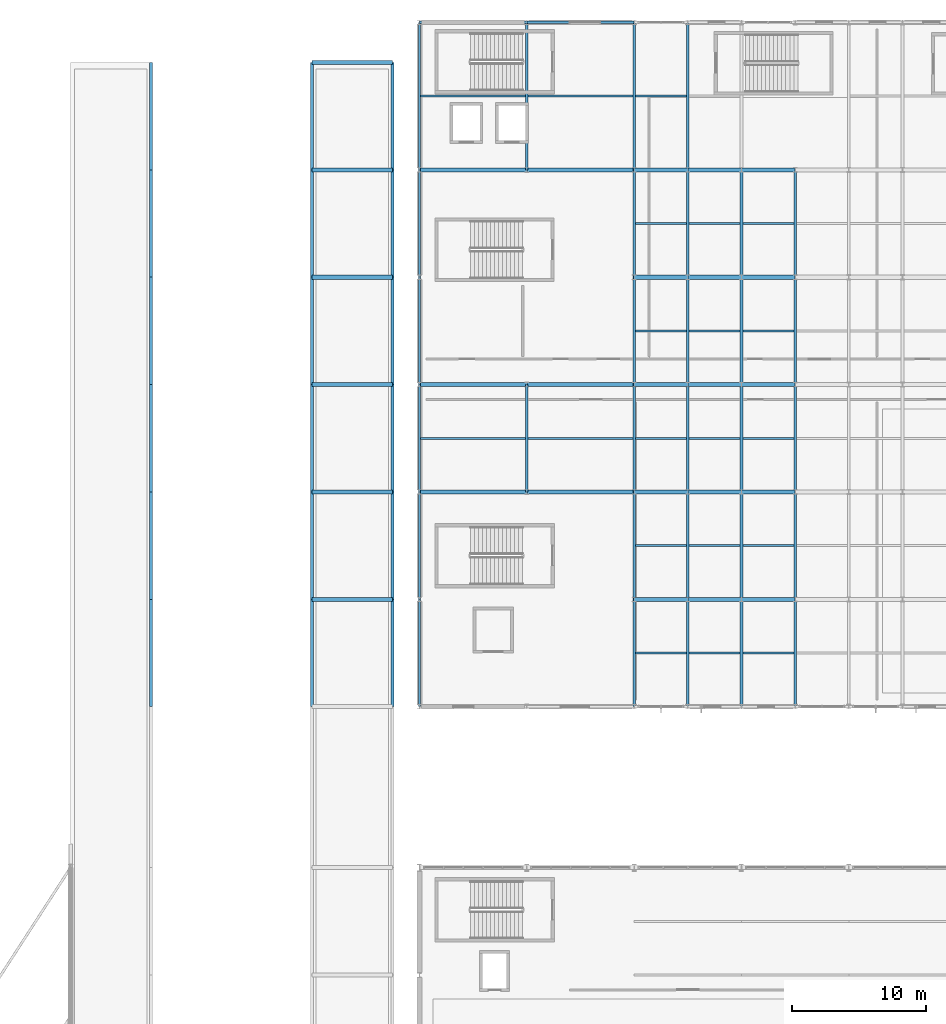
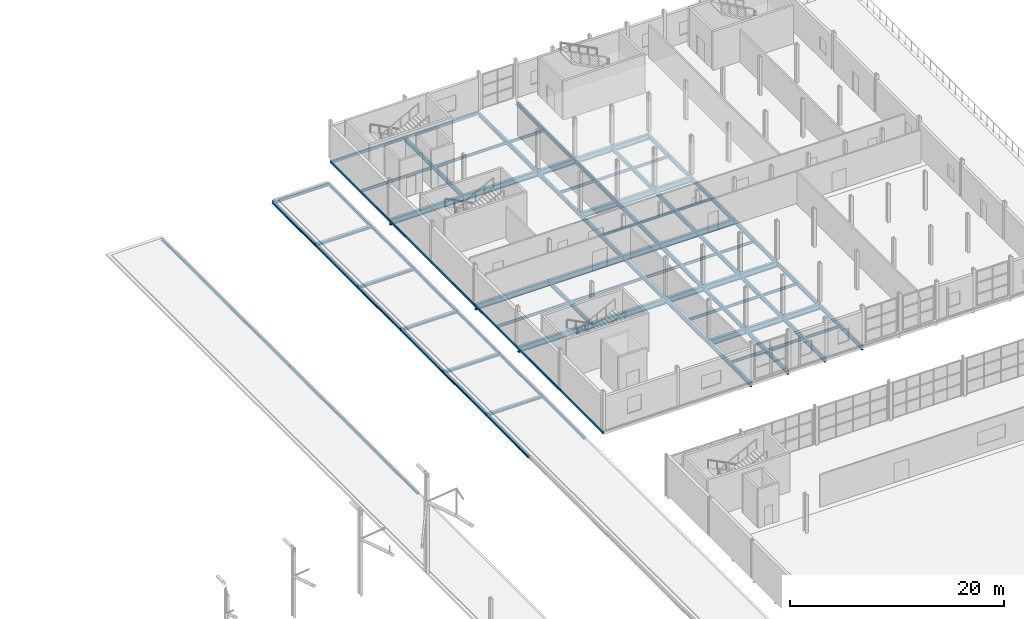
# One storey, part 100 of 153: 97 beams.
"""IFC4 building model written with IfcOpenShell, lengths in metres."""

from ifc_helpers import new_model, si_unit, derived_unit, direction, frame, origin, origin_2d, place, context, subcontext, project, spatial, hollow_rectangle, i_section, extrude, material, material_profile, profile_set, type_object, element, save


model = new_model("IFC4")

# Units and contexts
model_context = context("Model", 3, precision=1e-05, world=origin(), true_north=direction((0.0, 1.0)))
body_context = subcontext(model_context, "Body", "Model", "MODEL_VIEW")
ifc_project = project(units=[si_unit("LENGTHUNIT", "METRE"), si_unit("AREAUNIT", "SQUARE_METRE"), si_unit("VOLUMEUNIT", "CUBIC_METRE"), si_unit("PLANEANGLEUNIT", "RADIAN"), si_unit("MASSUNIT", "GRAM", prefix="KILO"), derived_unit("THERMALTRANSMITTANCEUNIT", [(si_unit("POWERUNIT", "WATT"), 1), (si_unit("LENGTHUNIT", "METRE"), -2), (si_unit("THERMODYNAMICTEMPERATUREUNIT", "KELVIN"), -1)])], contexts=[model_context])

# Site, building, storey
site_placement = place(None, origin())
site = spatial("IfcSite", under=ifc_project, at=site_placement, CompositionType="ELEMENT")
building_placement = place(site_placement, origin())
building = spatial("IfcBuilding", under=site, at=building_placement, Name="Keldorne Ridge Multi-Sports Centre", CompositionType="ELEMENT")
storey_placement = place(building_placement, frame((0.0, 0.0, 9.60009765625)))
storey = spatial("IfcBuildingStorey", under=building, at=storey_placement, Name="L02", CompositionType="ELEMENT", Elevation=9.60009765625)

# Beams
ifc_material = material(Name="Steel S355", Category="steel")
ifc_material_profile_1 = material_profile(ifc_material, i_section(OverallWidth=0.199951171875, OverallDepth=0.5, WebThickness=0.01025390625, FlangeThickness=0.01611328125, FilletRadius=0.02099609375, at=origin_2d()), Name="IPE 500")
ifc_profile_set_1 = profile_set([ifc_material_profile_1], Name="Steel S355")
beam_type_1 = type_object("IfcBeamType", Name="BM-B-02", PredefinedType="BEAM", material=ifc_profile_set_1)
beam_1_placement = place(storey_placement, frame((112.0, 82.0, -0.510009765625), z_axis=(0.0, 1.0, 0.0), x_axis=(-1.0, 0.0, 0.0)))
element("IfcBeam", 1, at=beam_1_placement, inside=storey, type_object=beam_type_1, Name="L02 primary girder 112.3", PredefinedType="BEAM", context=body_context, shape_type="SweptSolid", body=[
    extrude(i_section(OverallWidth=0.199951171875, OverallDepth=0.5, WebThickness=0.01025390625, FlangeThickness=0.01611328125, FilletRadius=0.02099609375, at=origin_2d()), origin(), (0.0, 0.0, 1.0), 8.0),
])
beam_2_placement = place(storey_placement, frame((112.0, 106.0, -0.510009765625), z_axis=(0.0, 1.0, 0.0), x_axis=(-1.0, 0.0, 0.0)))
element("IfcBeam", 2, at=beam_2_placement, inside=storey, type_object=beam_type_1, Name="L02 primary girder 112.6", PredefinedType="BEAM", context=body_context, shape_type="SweptSolid", body=[
    extrude(i_section(OverallWidth=0.199951171875, OverallDepth=0.5, WebThickness=0.01025390625, FlangeThickness=0.01611328125, FilletRadius=0.02099609375, at=origin_2d()), origin(), (0.0, 0.0, 1.0), 11.0),
])
for number, where, z_axis, x_axis, name in (
    (3, (120.0, 66.0, -0.510009765625), (0.0, 1.0, 0.0), (-1.0, 0.0, 0.0), "L02 primary girder 120.1"),
    (4, (120.0, 74.0, -0.510009765625), (0.0, 1.0, 0.0), (-1.0, 0.0, 0.0), "L02 primary girder 120.2"),
    (5, (120.0, 82.0, -0.510009765625), (0.0, 1.0, 0.0), (-1.0, 0.0, 0.0), "L02 primary girder 120.3"),
    (6, (120.0, 90.0, -0.510009765625), (0.0, 1.0, 0.0), (-1.0, 0.0, 0.0), "L02 primary girder 120.4"),
    (7, (120.0, 98.0, -0.510009765625), (0.0, 1.0, 0.0), (-1.0, 0.0, 0.0), "L02 primary girder 120.5"),
):
    element("IfcBeam", number, at=place(storey_placement, frame(where, z_axis=z_axis, x_axis=x_axis)), inside=storey, type_object=beam_type_1, Name=name, PredefinedType="BEAM", context=body_context, shape_type="SweptSolid", body=[
        extrude(i_section(OverallWidth=0.199951171875, OverallDepth=0.5, WebThickness=0.01025390625, FlangeThickness=0.01611328125, FilletRadius=0.02099609375, at=origin_2d()), origin(), (0.0, 0.0, 1.0), 8.0),
    ])
beam_3_placement = place(storey_placement, frame((120.0, 106.0, -0.510009765625), z_axis=(0.0, 1.0, 0.0), x_axis=(-1.0, 0.0, 0.0)))
element("IfcBeam", 8, at=beam_3_placement, inside=storey, type_object=beam_type_1, Name="L02 primary girder 120.6", PredefinedType="BEAM", context=body_context, shape_type="SweptSolid", body=[
    extrude(i_section(OverallWidth=0.199951171875, OverallDepth=0.5, WebThickness=0.01025390625, FlangeThickness=0.01611328125, FilletRadius=0.02099609375, at=origin_2d()), origin(), (0.0, 0.0, 1.0), 11.0),
])
for number, where, z_axis, x_axis, name in (
    (9, (124.0, 66.0, -0.510009765625), (0.0, 1.0, 0.0), (-1.0, 0.0, 0.0), "L02 primary girder 124.1"),
    (10, (124.0, 74.0, -0.510009765625), (0.0, 1.0, 0.0), (-1.0, 0.0, 0.0), "L02 primary girder 124.2"),
    (11, (124.0, 82.0, -0.510009765625), (0.0, 1.0, 0.0), (-1.0, 0.0, 0.0), "L02 primary girder 124.3"),
    (12, (124.0, 90.0, -0.510009765625), (0.0, 1.0, 0.0), (-1.0, 0.0, 0.0), "L02 primary girder 124.4"),
    (13, (124.0, 98.0, -0.510009765625), (0.0, 1.0, 0.0), (-1.0, 0.0, 0.0), "L02 primary girder 124.5"),
):
    element("IfcBeam", number, at=place(storey_placement, frame(where, z_axis=z_axis, x_axis=x_axis)), inside=storey, type_object=beam_type_1, Name=name, PredefinedType="BEAM", context=body_context, shape_type="SweptSolid", body=[
        extrude(i_section(OverallWidth=0.199951171875, OverallDepth=0.5, WebThickness=0.01025390625, FlangeThickness=0.01611328125, FilletRadius=0.02099609375, at=origin_2d()), origin(), (0.0, 0.0, 1.0), 8.0),
    ])
beam_4_placement = place(storey_placement, frame((124.0, 106.0, -0.510009765625), z_axis=(0.0, 1.0, 0.0), x_axis=(-1.0, 0.0, 0.0)))
element("IfcBeam", 14, at=beam_4_placement, inside=storey, type_object=beam_type_1, Name="L02 primary girder 124.6", PredefinedType="BEAM", context=body_context, shape_type="SweptSolid", body=[
    extrude(i_section(OverallWidth=0.199951171875, OverallDepth=0.5, WebThickness=0.01025390625, FlangeThickness=0.01611328125, FilletRadius=0.02099609375, at=origin_2d()), origin(), (0.0, 0.0, 1.0), 11.0),
])
for number, where, z_axis, x_axis, name in (
    (15, (128.0, 66.0, -0.510009765625), (0.0, 1.0, 0.0), (-1.0, 0.0, 0.0), "L02 primary girder 128.1"),
    (16, (128.0, 74.0, -0.510009765625), (0.0, 1.0, 0.0), (-1.0, 0.0, 0.0), "L02 primary girder 128.2"),
    (17, (128.0, 82.0, -0.510009765625), (0.0, 1.0, 0.0), (-1.0, 0.0, 0.0), "L02 primary girder 128.3"),
    (18, (128.0, 90.0, -0.510009765625), (0.0, 1.0, 0.0), (-1.0, 0.0, 0.0), "L02 primary girder 128.4"),
    (19, (128.0, 98.0, -0.510009765625), (0.0, 1.0, 0.0), (-1.0, 0.0, 0.0), "L02 primary girder 128.5"),
    (20, (132.0, 66.0, -0.510009765625), (0.0, 1.0, 0.0), (-1.0, 0.0, 0.0), "L02 primary girder 132.1"),
    (21, (132.0, 74.0, -0.510009765625), (0.0, 1.0, 0.0), (-1.0, 0.0, 0.0), "L02 primary girder 132.2"),
    (22, (132.0, 82.0, -0.510009765625), (0.0, 1.0, 0.0), (-1.0, 0.0, 0.0), "L02 primary girder 132.3"),
    (23, (132.0, 90.0, -0.510009765625), (0.0, 1.0, 0.0), (-1.0, 0.0, 0.0), "L02 primary girder 132.4"),
    (24, (132.0, 98.0, -0.510009765625), (0.0, 1.0, 0.0), (-1.0, 0.0, 0.0), "L02 primary girder 132.5"),
):
    element("IfcBeam", number, at=place(storey_placement, frame(where, z_axis=z_axis, x_axis=x_axis)), inside=storey, type_object=beam_type_1, Name=name, PredefinedType="BEAM", context=body_context, shape_type="SweptSolid", body=[
        extrude(i_section(OverallWidth=0.199951171875, OverallDepth=0.5, WebThickness=0.01025390625, FlangeThickness=0.01611328125, FilletRadius=0.02099609375, at=origin_2d()), origin(), (0.0, 0.0, 1.0), 8.0),
    ])
ifc_material_profile_2 = material_profile(ifc_material, i_section(OverallWidth=0.300048828125, OverallDepth=0.300048828125, WebThickness=0.010986328125, FlangeThickness=0.01904296875, FilletRadius=0.027099609375, at=origin_2d()), Name="HEB 300")
ifc_profile_set_2 = profile_set([ifc_material_profile_2], Name="Steel S355")
beam_type_2 = type_object("IfcBeamType", Name="BM-B-14", PredefinedType="BEAM", material=ifc_profile_set_2)
for number, where, z_axis, x_axis, name in (
    (25, (96.0, 74.0, -0.380126953125), (1.0, 0.0, 0.0), (0.0, 1.0, 0.0), "L02 east skirt roof beam 9"),
    (26, (96.0, 82.0, -0.380126953125), (1.0, 0.0, 0.0), (0.0, 1.0, 0.0), "L02 east skirt roof beam 10"),
    (27, (96.0, 90.0, -0.380126953125), (1.0, 0.0, 0.0), (0.0, 1.0, 0.0), "L02 east skirt roof beam 11"),
    (28, (96.0, 98.0, -0.380126953125), (1.0, 0.0, 0.0), (0.0, 1.0, 0.0), "L02 east skirt roof beam 12"),
    (29, (96.0, 106.0, -0.380126953125), (1.0, 0.0, 0.0), (0.0, 1.0, 0.0), "L02 east skirt roof beam 13"),
    (30, (96.0, 114.0, -0.380126953125), (1.0, 0.0, 0.0), (0.0, 1.0, 0.0), "L02 east skirt roof beam 14"),
):
    element("IfcBeam", number, at=place(storey_placement, frame(where, z_axis=z_axis, x_axis=x_axis)), inside=storey, type_object=beam_type_2, Name=name, PredefinedType="BEAM", context=body_context, shape_type="SweptSolid", body=[
        extrude(i_section(OverallWidth=0.300048828125, OverallDepth=0.300048828125, WebThickness=0.010986328125, FlangeThickness=0.01904296875, FilletRadius=0.027099609375, at=origin_2d()), origin(), (0.0, 0.0, 1.0), 6.0),
    ])
ifc_material_profile_3 = material_profile(ifc_material, i_section(OverallWidth=0.300048828125, OverallDepth=0.639892578125, WebThickness=0.013427734375, FlangeThickness=0.02587890625, FilletRadius=0.027099609375, at=origin_2d()), Name="HEA 650")
ifc_profile_set_3 = profile_set([ifc_material_profile_3], Name="Steel S355")
beam_type_3 = type_object("IfcBeamType", Name="BM-B-26", PredefinedType="BEAM", material=ifc_profile_set_3)
for number, where, z_axis, x_axis, name in (
    (31, (120.0, 74.0, -0.580078125), (1.0, 0.0, 0.0), (0.0, 1.0, 0.0), "L02 primary beam 3.74"),
    (32, (124.0, 74.0, -0.580078125), (1.0, 0.0, 0.0), (0.0, 1.0, 0.0), "L02 primary beam 4.74"),
    (33, (128.0, 74.0, -0.580078125), (1.0, 0.0, 0.0), (0.0, 1.0, 0.0), "L02 primary beam 5.74"),
):
    element("IfcBeam", number, at=place(storey_placement, frame(where, z_axis=z_axis, x_axis=x_axis)), inside=storey, type_object=beam_type_3, Name=name, PredefinedType="BEAM", context=body_context, shape_type="SweptSolid", body=[
        extrude(i_section(OverallWidth=0.300048828125, OverallDepth=0.639892578125, WebThickness=0.013427734375, FlangeThickness=0.02587890625, FilletRadius=0.027099609375, at=origin_2d()), origin(), (0.0, 0.0, 1.0), 4.0),
    ])
for number, where, z_axis, x_axis, name in (
    (34, (104.0, 82.0, -0.580078125), (1.0, 0.0, 0.0), (0.0, 1.0, 0.0), "L02 primary beam 1.82"),
    (35, (112.0, 82.0, -0.580078125), (1.0, 0.0, 0.0), (0.0, 1.0, 0.0), "L02 primary beam 2.82"),
):
    element("IfcBeam", number, at=place(storey_placement, frame(where, z_axis=z_axis, x_axis=x_axis)), inside=storey, type_object=beam_type_3, Name=name, PredefinedType="BEAM", context=body_context, shape_type="SweptSolid", body=[
        extrude(i_section(OverallWidth=0.300048828125, OverallDepth=0.639892578125, WebThickness=0.013427734375, FlangeThickness=0.02587890625, FilletRadius=0.027099609375, at=origin_2d()), origin(), (0.0, 0.0, 1.0), 8.0),
    ])
for number, where, z_axis, x_axis, name in (
    (36, (120.0, 82.0, -0.580078125), (1.0, 0.0, 0.0), (0.0, 1.0, 0.0), "L02 primary beam 3.82"),
    (37, (124.0, 82.0, -0.580078125), (1.0, 0.0, 0.0), (0.0, 1.0, 0.0), "L02 primary beam 4.82"),
    (38, (128.0, 82.0, -0.580078125), (1.0, 0.0, 0.0), (0.0, 1.0, 0.0), "L02 primary beam 5.82"),
):
    element("IfcBeam", number, at=place(storey_placement, frame(where, z_axis=z_axis, x_axis=x_axis)), inside=storey, type_object=beam_type_3, Name=name, PredefinedType="BEAM", context=body_context, shape_type="SweptSolid", body=[
        extrude(i_section(OverallWidth=0.300048828125, OverallDepth=0.639892578125, WebThickness=0.013427734375, FlangeThickness=0.02587890625, FilletRadius=0.027099609375, at=origin_2d()), origin(), (0.0, 0.0, 1.0), 4.0),
    ])
for number, where, z_axis, x_axis, name in (
    (39, (104.0, 90.0, -0.580078125), (1.0, 0.0, 0.0), (0.0, 1.0, 0.0), "L02 primary beam 1.90"),
    (40, (112.0, 90.0, -0.580078125), (1.0, 0.0, 0.0), (0.0, 1.0, 0.0), "L02 primary beam 2.90"),
):
    element("IfcBeam", number, at=place(storey_placement, frame(where, z_axis=z_axis, x_axis=x_axis)), inside=storey, type_object=beam_type_3, Name=name, PredefinedType="BEAM", context=body_context, shape_type="SweptSolid", body=[
        extrude(i_section(OverallWidth=0.300048828125, OverallDepth=0.639892578125, WebThickness=0.013427734375, FlangeThickness=0.02587890625, FilletRadius=0.027099609375, at=origin_2d()), origin(), (0.0, 0.0, 1.0), 8.0),
    ])
for number, where, z_axis, x_axis, name in (
    (41, (120.0, 90.0, -0.580078125), (1.0, 0.0, 0.0), (0.0, 1.0, 0.0), "L02 primary beam 3.90"),
    (42, (124.0, 90.0, -0.580078125), (1.0, 0.0, 0.0), (0.0, 1.0, 0.0), "L02 primary beam 4.90"),
    (43, (128.0, 90.0, -0.580078125), (1.0, 0.0, 0.0), (0.0, 1.0, 0.0), "L02 primary beam 5.90"),
    (44, (120.0, 98.0, -0.580078125), (1.0, 0.0, 0.0), (0.0, 1.0, 0.0), "L02 primary beam 3.98"),
    (45, (124.0, 98.0, -0.580078125), (1.0, 0.0, 0.0), (0.0, 1.0, 0.0), "L02 primary beam 4.98"),
    (46, (128.0, 98.0, -0.580078125), (1.0, 0.0, 0.0), (0.0, 1.0, 0.0), "L02 primary beam 5.98"),
):
    element("IfcBeam", number, at=place(storey_placement, frame(where, z_axis=z_axis, x_axis=x_axis)), inside=storey, type_object=beam_type_3, Name=name, PredefinedType="BEAM", context=body_context, shape_type="SweptSolid", body=[
        extrude(i_section(OverallWidth=0.300048828125, OverallDepth=0.639892578125, WebThickness=0.013427734375, FlangeThickness=0.02587890625, FilletRadius=0.027099609375, at=origin_2d()), origin(), (0.0, 0.0, 1.0), 4.0),
    ])
for number, where, z_axis, x_axis, name in (
    (47, (104.0, 106.0, -0.580078125), (1.0, 0.0, 0.0), (0.0, 1.0, 0.0), "L02 primary beam 1.106"),
    (48, (112.0, 106.0, -0.580078125), (1.0, 0.0, 0.0), (0.0, 1.0, 0.0), "L02 primary beam 2.106"),
):
    element("IfcBeam", number, at=place(storey_placement, frame(where, z_axis=z_axis, x_axis=x_axis)), inside=storey, type_object=beam_type_3, Name=name, PredefinedType="BEAM", context=body_context, shape_type="SweptSolid", body=[
        extrude(i_section(OverallWidth=0.300048828125, OverallDepth=0.639892578125, WebThickness=0.013427734375, FlangeThickness=0.02587890625, FilletRadius=0.027099609375, at=origin_2d()), origin(), (0.0, 0.0, 1.0), 8.0),
    ])
for number, where, z_axis, x_axis, name in (
    (49, (120.0, 106.0, -0.580078125), (1.0, 0.0, 0.0), (0.0, 1.0, 0.0), "L02 primary beam 3.106"),
    (50, (124.0, 106.0, -0.580078125), (1.0, 0.0, 0.0), (0.0, 1.0, 0.0), "L02 primary beam 4.106"),
    (51, (128.0, 106.0, -0.580078125), (1.0, 0.0, 0.0), (0.0, 1.0, 0.0), "L02 primary beam 5.106"),
):
    element("IfcBeam", number, at=place(storey_placement, frame(where, z_axis=z_axis, x_axis=x_axis)), inside=storey, type_object=beam_type_3, Name=name, PredefinedType="BEAM", context=body_context, shape_type="SweptSolid", body=[
        extrude(i_section(OverallWidth=0.300048828125, OverallDepth=0.639892578125, WebThickness=0.013427734375, FlangeThickness=0.02587890625, FilletRadius=0.027099609375, at=origin_2d()), origin(), (0.0, 0.0, 1.0), 4.0),
    ])
ifc_material_profile_4 = material_profile(ifc_material, i_section(OverallWidth=0.14990234375, OverallDepth=0.300048828125, WebThickness=0.007080078125, FlangeThickness=0.0107421875, FilletRadius=0.014892578125, at=origin_2d()), Name="IPE 300")
ifc_profile_set_4 = profile_set([ifc_material_profile_4], Name="Steel S355")
beam_type_4 = type_object("IfcBeamType", Name="BM-J-02", PredefinedType="JOIST", material=ifc_profile_set_4)
for number, where, z_axis, x_axis, name in (
    (52, (104.074951171875, 86.0, -0.41015625), (1.0, 0.0, 0.0), (0.0, 1.0, 0.0), "L02 secondary joist 1.3"),
    (53, (104.074951171875, 111.5, -0.41015625), (1.0, 0.0, 0.0), (0.0, 1.0, 0.0), "L02 secondary joist 1.6"),
):
    element("IfcBeam", number, at=place(storey_placement, frame(where, z_axis=z_axis, x_axis=x_axis)), inside=storey, type_object=beam_type_4, Name=name, PredefinedType="JOIST", context=body_context, shape_type="SweptSolid", body=[
        extrude(i_section(OverallWidth=0.14990234375, OverallDepth=0.300048828125, WebThickness=0.007080078125, FlangeThickness=0.0107421875, FilletRadius=0.014892578125, at=origin_2d()), origin(), (0.0, 0.0, 1.0), 7.824951171875),
    ])
for number, where, z_axis, x_axis, name in (
    (54, (112.10009765625, 86.0, -0.41015625), (1.0, 0.0, 0.0), (0.0, 1.0, 0.0), "L02 secondary joist 2.3"),
    (55, (112.10009765625, 111.5, -0.41015625), (1.0, 0.0, 0.0), (0.0, 1.0, 0.0), "L02 secondary joist 2.6"),
):
    element("IfcBeam", number, at=place(storey_placement, frame(where, z_axis=z_axis, x_axis=x_axis)), inside=storey, type_object=beam_type_4, Name=name, PredefinedType="JOIST", context=body_context, shape_type="SweptSolid", body=[
        extrude(i_section(OverallWidth=0.14990234375, OverallDepth=0.300048828125, WebThickness=0.007080078125, FlangeThickness=0.0107421875, FilletRadius=0.014892578125, at=origin_2d()), origin(), (0.0, 0.0, 1.0), 7.7998046875),
    ])
for number, where, z_axis, x_axis, name in (
    (56, (120.10009765625, 70.0, -0.41015625), (1.0, 0.0, 0.0), (0.0, 1.0, 0.0), "L02 secondary joist 3.1"),
    (57, (120.10009765625, 78.0, -0.41015625), (1.0, 0.0, 0.0), (0.0, 1.0, 0.0), "L02 secondary joist 3.2"),
    (58, (120.10009765625, 86.0, -0.41015625), (1.0, 0.0, 0.0), (0.0, 1.0, 0.0), "L02 secondary joist 3.3"),
    (59, (120.10009765625, 94.0, -0.41015625), (1.0, 0.0, 0.0), (0.0, 1.0, 0.0), "L02 secondary joist 3.4"),
    (60, (120.10009765625, 102.0, -0.41015625), (1.0, 0.0, 0.0), (0.0, 1.0, 0.0), "L02 secondary joist 3.5"),
    (61, (120.10009765625, 111.5, -0.41015625), (1.0, 0.0, 0.0), (0.0, 1.0, 0.0), "L02 secondary joist 3.6"),
    (62, (124.10009765625, 70.0, -0.41015625), (1.0, 0.0, 0.0), (0.0, 1.0, 0.0), "L02 secondary joist 4.1"),
    (63, (124.10009765625, 78.0, -0.41015625), (1.0, 0.0, 0.0), (0.0, 1.0, 0.0), "L02 secondary joist 4.2"),
    (64, (124.10009765625, 86.0, -0.41015625), (1.0, 0.0, 0.0), (0.0, 1.0, 0.0), "L02 secondary joist 4.3"),
    (65, (124.10009765625, 94.0, -0.41015625), (1.0, 0.0, 0.0), (0.0, 1.0, 0.0), "L02 secondary joist 4.4"),
    (66, (124.10009765625, 102.0, -0.41015625), (1.0, 0.0, 0.0), (0.0, 1.0, 0.0), "L02 secondary joist 4.5"),
    (67, (128.10009765625, 70.0, -0.41015625), (1.0, 0.0, 0.0), (0.0, 1.0, 0.0), "L02 secondary joist 5.1"),
    (68, (128.10009765625, 78.0, -0.41015625), (1.0, 0.0, 0.0), (0.0, 1.0, 0.0), "L02 secondary joist 5.2"),
    (69, (128.10009765625, 86.0, -0.41015625), (1.0, 0.0, 0.0), (0.0, 1.0, 0.0), "L02 secondary joist 5.3"),
    (70, (128.10009765625, 94.0, -0.41015625), (1.0, 0.0, 0.0), (0.0, 1.0, 0.0), "L02 secondary joist 5.4"),
    (71, (128.10009765625, 102.0, -0.41015625), (1.0, 0.0, 0.0), (0.0, 1.0, 0.0), "L02 secondary joist 5.5"),
):
    element("IfcBeam", number, at=place(storey_placement, frame(where, z_axis=z_axis, x_axis=x_axis)), inside=storey, type_object=beam_type_4, Name=name, PredefinedType="JOIST", context=body_context, shape_type="SweptSolid", body=[
        extrude(i_section(OverallWidth=0.14990234375, OverallDepth=0.300048828125, WebThickness=0.007080078125, FlangeThickness=0.0107421875, FilletRadius=0.014892578125, at=origin_2d()), origin(), (0.0, 0.0, 1.0), 3.7998046875),
    ])
ifc_material_profile_5 = material_profile(ifc_material, hollow_rectangle(XDim=0.199951171875, YDim=0.300048828125, WallThickness=0.012451171875, InnerFilletRadius=0.012451171875, OuterFilletRadius=0.02490234375, at=origin_2d()), Name="RHS 300x200x12.5")
ifc_profile_set_5 = profile_set([ifc_material_profile_5], Name="Steel S355")
beam_type_5 = type_object("IfcBeamType", Name="BM-SP-01", PredefinedType="SPANDREL", material=ifc_profile_set_5)
for number, where, z_axis, x_axis, name in (
    (72, (104.0, 117.0, -0.41015625), (1.0, 0.0, 0.0), (0.0, 1.0, 0.0), "L02 primary beam 1.117"),
    (73, (112.0, 117.0, -0.41015625), (1.0, 0.0, 0.0), (0.0, 1.0, 0.0), "L02 primary beam 2.117"),
):
    element("IfcBeam", number, at=place(storey_placement, frame(where, z_axis=z_axis, x_axis=x_axis)), inside=storey, type_object=beam_type_5, Name=name, PredefinedType="SPANDREL", context=body_context, shape_type="SweptSolid", body=[
        extrude(hollow_rectangle(XDim=0.199951171875, YDim=0.300048828125, WallThickness=0.012451171875, InnerFilletRadius=0.012451171875, OuterFilletRadius=0.02490234375, at=origin_2d()), origin(), (0.0, 0.0, 1.0), 8.0),
    ])
ifc_material_profile_6 = material_profile(ifc_material, hollow_rectangle(XDim=0.14990234375, YDim=0.25, WallThickness=0.010009765625, InnerFilletRadius=0.010009765625, OuterFilletRadius=0.02001953125, at=origin_2d()), Name="RHS 250x150x10")
ifc_profile_set_6 = profile_set([ifc_material_profile_6], Name="Steel S355")
beam_type_6 = type_object("IfcBeamType", Name="BM-SP-02", PredefinedType="SPANDREL", material=ifc_profile_set_6)
for number, where, z_axis, x_axis, name in (
    (74, (104.0, 66.0, -0.385009765625), (0.0, 1.0, 0.0), (-1.0, 0.0, 0.0), "L02 primary girder 104.1"),
    (75, (104.0, 74.0, -0.385009765625), (0.0, 1.0, 0.0), (-1.0, 0.0, 0.0), "L02 primary girder 104.2"),
    (76, (104.0, 82.0, -0.385009765625), (0.0, 1.0, 0.0), (-1.0, 0.0, 0.0), "L02 primary girder 104.3"),
    (77, (104.0, 90.0, -0.385009765625), (0.0, 1.0, 0.0), (-1.0, 0.0, 0.0), "L02 primary girder 104.4"),
    (78, (104.0, 98.0, -0.385009765625), (0.0, 1.0, 0.0), (-1.0, 0.0, 0.0), "L02 primary girder 104.5"),
):
    element("IfcBeam", number, at=place(storey_placement, frame(where, z_axis=z_axis, x_axis=x_axis)), inside=storey, type_object=beam_type_6, Name=name, PredefinedType="SPANDREL", context=body_context, shape_type="SweptSolid", body=[
        extrude(hollow_rectangle(XDim=0.14990234375, YDim=0.25, WallThickness=0.010009765625, InnerFilletRadius=0.010009765625, OuterFilletRadius=0.02001953125, at=origin_2d()), origin(), (0.0, 0.0, 1.0), 8.0),
    ])
beam_5_placement = place(storey_placement, frame((104.0, 106.0, -0.385009765625), z_axis=(0.0, 1.0, 0.0), x_axis=(-1.0, 0.0, 0.0)))
element("IfcBeam", 79, at=beam_5_placement, inside=storey, type_object=beam_type_6, Name="L02 primary girder 104.6", PredefinedType="SPANDREL", context=body_context, shape_type="SweptSolid", body=[
    extrude(hollow_rectangle(XDim=0.14990234375, YDim=0.25, WallThickness=0.010009765625, InnerFilletRadius=0.010009765625, OuterFilletRadius=0.02001953125, at=origin_2d()), origin(), (0.0, 0.0, 1.0), 11.0),
])
ifc_material_profile_7 = material_profile(ifc_material, i_section(OverallWidth=0.239990234375, OverallDepth=0.22998046875, WebThickness=0.007568359375, FlangeThickness=0.011962890625, FilletRadius=0.02099609375, at=origin_2d()), Name="HEA 240")
ifc_profile_set_7 = profile_set([ifc_material_profile_7], Name="Steel S355")
beam_type_7 = type_object("IfcBeamType", Name="BM-SP-05", PredefinedType="SPANDREL", material=ifc_profile_set_7)
for number, where, z_axis, x_axis, name in (
    (80, (84.0, 66.0, -0.34521484375), (0.0, 1.0, 0.0), (-1.0, 0.0, 0.0), "L02 passage roof beam G12.8"),
    (81, (96.0, 66.0, -0.34521484375), (0.0, 1.0, 0.0), (-1.0, 0.0, 0.0), "L02 passage roof beam G14.8"),
    (82, (102.0, 66.0, -0.34521484375), (0.0, 1.0, 0.0), (-1.0, 0.0, 0.0), "L02 passage roof beam G15.8"),
    (83, (84.0, 74.0, -0.34521484375), (0.0, 1.0, 0.0), (-1.0, 0.0, 0.0), "L02 passage roof beam G12.9"),
    (84, (96.0, 74.0, -0.34521484375), (0.0, 1.0, 0.0), (-1.0, 0.0, 0.0), "L02 passage roof beam G14.9"),
    (85, (102.0, 74.0, -0.34521484375), (0.0, 1.0, 0.0), (-1.0, 0.0, 0.0), "L02 passage roof beam G15.9"),
    (86, (84.0, 82.0, -0.34521484375), (0.0, 1.0, 0.0), (-1.0, 0.0, 0.0), "L02 passage roof beam G12.10"),
    (87, (96.0, 82.0, -0.34521484375), (0.0, 1.0, 0.0), (-1.0, 0.0, 0.0), "L02 passage roof beam G14.10"),
    (88, (102.0, 82.0, -0.34521484375), (0.0, 1.0, 0.0), (-1.0, 0.0, 0.0), "L02 passage roof beam G15.10"),
    (89, (84.0, 90.0, -0.34521484375), (0.0, 1.0, 0.0), (-1.0, 0.0, 0.0), "L02 passage roof beam G12.11"),
    (90, (96.0, 90.0, -0.34521484375), (0.0, 1.0, 0.0), (-1.0, 0.0, 0.0), "L02 passage roof beam G14.11"),
    (91, (102.0, 90.0, -0.34521484375), (0.0, 1.0, 0.0), (-1.0, 0.0, 0.0), "L02 passage roof beam G15.11"),
    (92, (84.0, 98.0, -0.34521484375), (0.0, 1.0, 0.0), (-1.0, 0.0, 0.0), "L02 passage roof beam G12.12"),
    (93, (96.0, 98.0, -0.34521484375), (0.0, 1.0, 0.0), (-1.0, 0.0, 0.0), "L02 passage roof beam G14.12"),
    (94, (102.0, 98.0, -0.34521484375), (0.0, 1.0, 0.0), (-1.0, 0.0, 0.0), "L02 passage roof beam G15.12"),
    (95, (84.0, 106.0, -0.34521484375), (0.0, 1.0, 0.0), (-1.0, 0.0, 0.0), "L02 passage roof beam G12.13"),
    (96, (96.0, 106.0, -0.34521484375), (0.0, 1.0, 0.0), (-1.0, 0.0, 0.0), "L02 passage roof beam G14.13"),
    (97, (102.0, 106.0, -0.34521484375), (0.0, 1.0, 0.0), (-1.0, 0.0, 0.0), "L02 passage roof beam G15.13"),
):
    element("IfcBeam", number, at=place(storey_placement, frame(where, z_axis=z_axis, x_axis=x_axis)), inside=storey, type_object=beam_type_7, Name=name, PredefinedType="SPANDREL", context=body_context, shape_type="SweptSolid", body=[
        extrude(i_section(OverallWidth=0.239990234375, OverallDepth=0.22998046875, WebThickness=0.007568359375, FlangeThickness=0.011962890625, FilletRadius=0.02099609375, at=origin_2d()), origin(), (0.0, 0.0, 1.0), 8.0),
    ])

save(model, "model.ifc")
